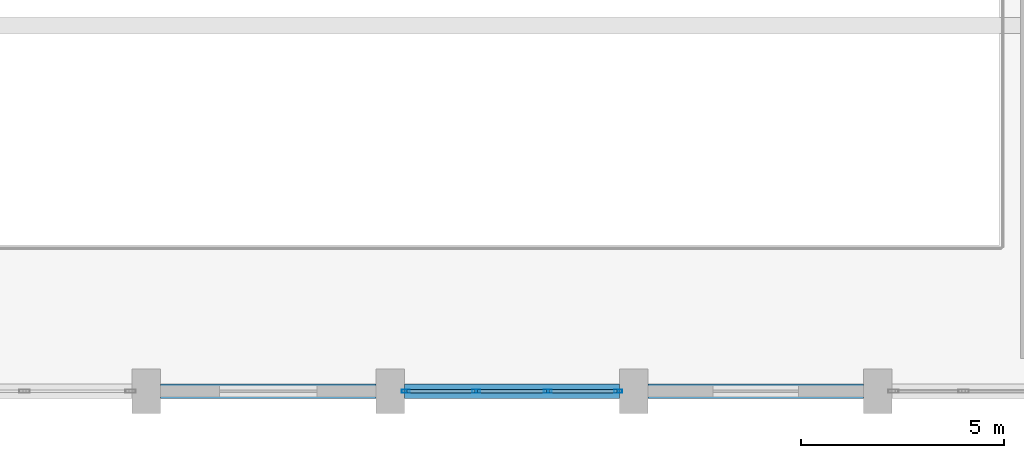
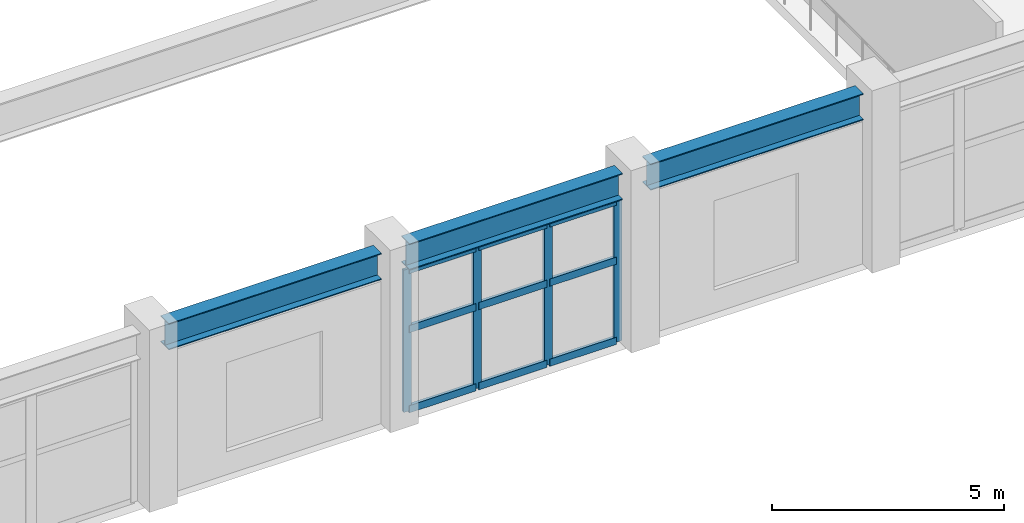
# One storey, part 18 of 85: 13 members, 3 beams, 1 element without a shape of its own.
"""IFC4 building model written with IfcOpenShell, lengths in metres."""

from ifc_helpers import new_model, si_unit, direction, frame, origin, origin_2d, place, context, subcontext, project, spatial, hollow_rectangle, i_section, extrude, material, layer, layer_set, material_profile, profile_set, type_object, element, aggregate, save


model = new_model("IFC4")

# Units and contexts
model_context = context("Model", 3, precision=1e-05, world=origin(), true_north=direction((0.0, 1.0)))
body_context = subcontext(model_context, "Body", "Model", "MODEL_VIEW")
ifc_project = project(units=[si_unit("LENGTHUNIT", "METRE"), si_unit("AREAUNIT", "SQUARE_METRE"), si_unit("VOLUMEUNIT", "CUBIC_METRE"), si_unit("PLANEANGLEUNIT", "RADIAN"), si_unit("MASSUNIT", "GRAM", prefix="KILO")], contexts=[model_context])

# Site, building, storey
site_placement = place(None, origin())
site = spatial("IfcSite", under=ifc_project, at=site_placement, CompositionType="ELEMENT")
building_placement = place(site_placement, origin())
building = spatial("IfcBuilding", under=site, at=building_placement, Name="Vaelkrest Opera House", CompositionType="ELEMENT")
storey_placement = place(building_placement, frame((0.0, 0.0, 10.199951171875)))
storey = spatial("IfcBuildingStorey", under=building, at=storey_placement, Name="L02", CompositionType="ELEMENT", Elevation=10.199951171875)

# Curtain wall, members
ifc_material_1 = material(Name="Dark bronze anodized aluminium", Category="aluminium")
ifc_layer = layer(ifc_material_1, 0.22998046875)
ifc_layer_set = layer_set([ifc_layer], Name="Dark bronze anodized aluminium")
curtain_wall_type = type_object("IfcCurtainWallType", Name="CW06", PredefinedType="NOTDEFINED", material=ifc_layer_set)
curtain_wall_placement = place(storey_placement, origin())
curtain_wall = element("IfcCurtainWall", 1, at=curtain_wall_placement, inside=storey, type_object=curtain_wall_type, Name="Curtain wall CW-L02-033", PredefinedType="NOTDEFINED")
ifc_material_profile_1 = material_profile(ifc_material_1, hollow_rectangle(XDim=0.070068359375, YDim=0.199951171875, WallThickness=0.004150390625, at=origin_2d()), Name="CWM70X200")
ifc_profile_set_1 = profile_set([ifc_material_profile_1], Name="Dark bronze anodized aluminium")
member_type_1 = type_object("IfcMemberType", Name="CWM02", PredefinedType="MULLION", material=ifc_profile_set_1)
member_1_placement = place(storey_placement, frame((5.616943359375, -55.800048828125, 0.0), z_axis=(0.0, 0.0, 1.0), x_axis=(0.0, -1.0, 0.0)))
member_1 = element("IfcMember", 2, at=member_1_placement, type_object=member_type_1, Name="CW06 mullion 1", PredefinedType="MULLION", context=body_context, shape_type="SweptSolid", body=[
    extrude(hollow_rectangle(XDim=0.070068359375, YDim=0.199951171875, WallThickness=0.004150390625, at=origin_2d()), origin(), (0.0, 0.0, 1.0), 3.7451171875),
])
member_2_placement = place(storey_placement, frame((3.884033203125, -55.800048828125, 0.0), z_axis=(0.0, 0.0, 1.0), x_axis=(0.0, -1.0, 0.0)))
member_2 = element("IfcMember", 3, at=member_2_placement, type_object=member_type_1, Name="CW06 mullion 2", PredefinedType="MULLION", context=body_context, shape_type="SweptSolid", body=[
    extrude(hollow_rectangle(XDim=0.070068359375, YDim=0.199951171875, WallThickness=0.004150390625, at=origin_2d()), origin(), (0.0, 0.0, 1.0), 3.7451171875),
])
member_3_placement = place(storey_placement, frame((2.115966796875, -55.800048828125, 0.0), z_axis=(0.0, 0.0, 1.0), x_axis=(0.0, -1.0, 0.0)))
member_3 = element("IfcMember", 4, at=member_3_placement, type_object=member_type_1, Name="CW06 mullion 3", PredefinedType="MULLION", context=body_context, shape_type="SweptSolid", body=[
    extrude(hollow_rectangle(XDim=0.070068359375, YDim=0.199951171875, WallThickness=0.004150390625, at=origin_2d()), origin(), (0.0, 0.0, 1.0), 3.7451171875),
])
member_4_placement = place(storey_placement, frame((0.383056640625, -55.800048828125, 0.0), z_axis=(0.0, 0.0, 1.0), x_axis=(0.0, -1.0, 0.0)))
member_4 = element("IfcMember", 5, at=member_4_placement, type_object=member_type_1, Name="CW06 mullion 4", PredefinedType="MULLION", context=body_context, shape_type="SweptSolid", body=[
    extrude(hollow_rectangle(XDim=0.070068359375, YDim=0.199951171875, WallThickness=0.004150390625, at=origin_2d()), origin(), (0.0, 0.0, 1.0), 3.7451171875),
])
ifc_material_profile_2 = material_profile(ifc_material_1, hollow_rectangle(XDim=0.080078125, YDim=0.18994140625, WallThickness=0.0048828125, at=origin_2d()), Name="CWT80X190")
ifc_profile_set_2 = profile_set([ifc_material_profile_2], Name="Dark bronze anodized aluminium")
member_type_2 = type_object("IfcMemberType", Name="CWT04", PredefinedType="USERDEFINED", material=ifc_profile_set_2)
member_5_placement = place(storey_placement, frame((5.58203125, -55.800048828125, 0.0400390625), z_axis=(-1.0, 0.0, 0.0), x_axis=(0.0, -1.0, 0.0)))
member_5 = element("IfcMember", 6, at=member_5_placement, type_object=member_type_2, Name="CW06 transom 1.1", ObjectType="TRANSOM", PredefinedType="USERDEFINED", context=body_context, shape_type="SweptSolid", body=[
    extrude(hollow_rectangle(XDim=0.080078125, YDim=0.18994140625, WallThickness=0.0048828125, at=origin_2d()), origin(), (0.0, 0.0, 1.0), 1.6630859375),
])
member_6_placement = place(storey_placement, frame((5.58203125, -55.800048828125, 2.150146484375), z_axis=(-1.0, 0.0, 0.0), x_axis=(0.0, -1.0, 0.0)))
member_6 = element("IfcMember", 7, at=member_6_placement, type_object=member_type_2, Name="CW06 transom 1.2", ObjectType="TRANSOM", PredefinedType="USERDEFINED", context=body_context, shape_type="SweptSolid", body=[
    extrude(hollow_rectangle(XDim=0.080078125, YDim=0.18994140625, WallThickness=0.0048828125, at=origin_2d()), origin(), (0.0, 0.0, 1.0), 1.6630859375),
])
member_7_placement = place(storey_placement, frame((5.58203125, -55.800048828125, 3.705078125), z_axis=(-1.0, 0.0, 0.0), x_axis=(0.0, -1.0, 0.0)))
member_7 = element("IfcMember", 8, at=member_7_placement, type_object=member_type_2, Name="CW06 transom 1.3", ObjectType="TRANSOM", PredefinedType="USERDEFINED", context=body_context, shape_type="SweptSolid", body=[
    extrude(hollow_rectangle(XDim=0.080078125, YDim=0.18994140625, WallThickness=0.0048828125, at=origin_2d()), origin(), (0.0, 0.0, 1.0), 1.6630859375),
])
member_8_placement = place(storey_placement, frame((3.84912109375, -55.800048828125, 0.0400390625), z_axis=(-1.0, 0.0, 0.0), x_axis=(0.0, -1.0, 0.0)))
member_8 = element("IfcMember", 9, at=member_8_placement, type_object=member_type_2, Name="CW06 transom 2.1", ObjectType="TRANSOM", PredefinedType="USERDEFINED", context=body_context, shape_type="SweptSolid", body=[
    extrude(hollow_rectangle(XDim=0.080078125, YDim=0.18994140625, WallThickness=0.0048828125, at=origin_2d()), origin(), (0.0, 0.0, 1.0), 1.6982421875),
])
member_9_placement = place(storey_placement, frame((3.84912109375, -55.800048828125, 2.150146484375), z_axis=(-1.0, 0.0, 0.0), x_axis=(0.0, -1.0, 0.0)))
member_9 = element("IfcMember", 10, at=member_9_placement, type_object=member_type_2, Name="CW06 transom 2.2", ObjectType="TRANSOM", PredefinedType="USERDEFINED", context=body_context, shape_type="SweptSolid", body=[
    extrude(hollow_rectangle(XDim=0.080078125, YDim=0.18994140625, WallThickness=0.0048828125, at=origin_2d()), origin(), (0.0, 0.0, 1.0), 1.6982421875),
])
member_10_placement = place(storey_placement, frame((3.84912109375, -55.800048828125, 3.705078125), z_axis=(-1.0, 0.0, 0.0), x_axis=(0.0, -1.0, 0.0)))
member_10 = element("IfcMember", 11, at=member_10_placement, type_object=member_type_2, Name="CW06 transom 2.3", ObjectType="TRANSOM", PredefinedType="USERDEFINED", context=body_context, shape_type="SweptSolid", body=[
    extrude(hollow_rectangle(XDim=0.080078125, YDim=0.18994140625, WallThickness=0.0048828125, at=origin_2d()), origin(), (0.0, 0.0, 1.0), 1.6982421875),
])
member_11_placement = place(storey_placement, frame((2.0810546875, -55.800048828125, 0.0400390625), z_axis=(-1.0, 0.0, 0.0), x_axis=(0.0, -1.0, 0.0)))
member_11 = element("IfcMember", 12, at=member_11_placement, type_object=member_type_2, Name="CW06 transom 3.1", ObjectType="TRANSOM", PredefinedType="USERDEFINED", context=body_context, shape_type="SweptSolid", body=[
    extrude(hollow_rectangle(XDim=0.080078125, YDim=0.18994140625, WallThickness=0.0048828125, at=origin_2d()), origin(), (0.0, 0.0, 1.0), 1.6630859375),
])
member_12_placement = place(storey_placement, frame((2.0810546875, -55.800048828125, 2.150146484375), z_axis=(-1.0, 0.0, 0.0), x_axis=(0.0, -1.0, 0.0)))
member_12 = element("IfcMember", 13, at=member_12_placement, type_object=member_type_2, Name="CW06 transom 3.2", ObjectType="TRANSOM", PredefinedType="USERDEFINED", context=body_context, shape_type="SweptSolid", body=[
    extrude(hollow_rectangle(XDim=0.080078125, YDim=0.18994140625, WallThickness=0.0048828125, at=origin_2d()), origin(), (0.0, 0.0, 1.0), 1.6630859375),
])
member_13_placement = place(storey_placement, frame((2.0810546875, -55.800048828125, 3.705078125), z_axis=(-1.0, 0.0, 0.0), x_axis=(0.0, -1.0, 0.0)))
member_13 = element("IfcMember", 14, at=member_13_placement, type_object=member_type_2, Name="CW06 transom 3.3", ObjectType="TRANSOM", PredefinedType="USERDEFINED", context=body_context, shape_type="SweptSolid", body=[
    extrude(hollow_rectangle(XDim=0.080078125, YDim=0.18994140625, WallThickness=0.0048828125, at=origin_2d()), origin(), (0.0, 0.0, 1.0), 1.6630859375),
])
aggregate(curtain_wall, [member_1, member_2, member_3, member_4, member_5, member_6, member_7, member_8, member_9, member_10, member_11, member_12, member_13])

# Beams
ifc_material_2 = material(Name="Steel A992 Gr50", Category="steel")
ifc_material_profile_3 = material_profile(ifc_material_2, i_section(OverallWidth=0.35498046875, OverallDepth=0.695068359375, WebThickness=0.015380859375, FlangeThickness=0.02490234375, at=origin_2d()), Name="W27X146")
ifc_profile_set_3 = profile_set([ifc_material_profile_3], Name="Steel A992 Gr50")
beam_type = type_object("IfcBeamType", Name="SP02", PredefinedType="SPANDREL", material=ifc_profile_set_3)
for number, where, z_axis, x_axis, name in (
    (15, (-5.64990234375, -55.800048828125, 4.157470703125), (1.0, 0.0, 0.0), (0.0, 1.0, 0.0), "Beam BM-V1-L02-0317"),
    (16, (0.35009765625, -55.800048828125, 4.157470703125), (1.0, 0.0, 0.0), (0.0, 1.0, 0.0), "Beam BM-V1-L02-0318"),
    (17, (6.35009765625, -55.800048828125, 4.157470703125), (1.0, 0.0, 0.0), (0.0, 1.0, 0.0), "Beam BM-V1-L02-0319"),
):
    element("IfcBeam", number, at=place(storey_placement, frame(where, z_axis=z_axis, x_axis=x_axis)), inside=storey, type_object=beam_type, Name=name, PredefinedType="SPANDREL", context=body_context, shape_type="SweptSolid", body=[
        extrude(i_section(OverallWidth=0.35498046875, OverallDepth=0.695068359375, WebThickness=0.015380859375, FlangeThickness=0.02490234375, at=origin_2d()), origin(), (0.0, 0.0, 1.0), 5.2998046875),
    ])

save(model, "model.ifc")
